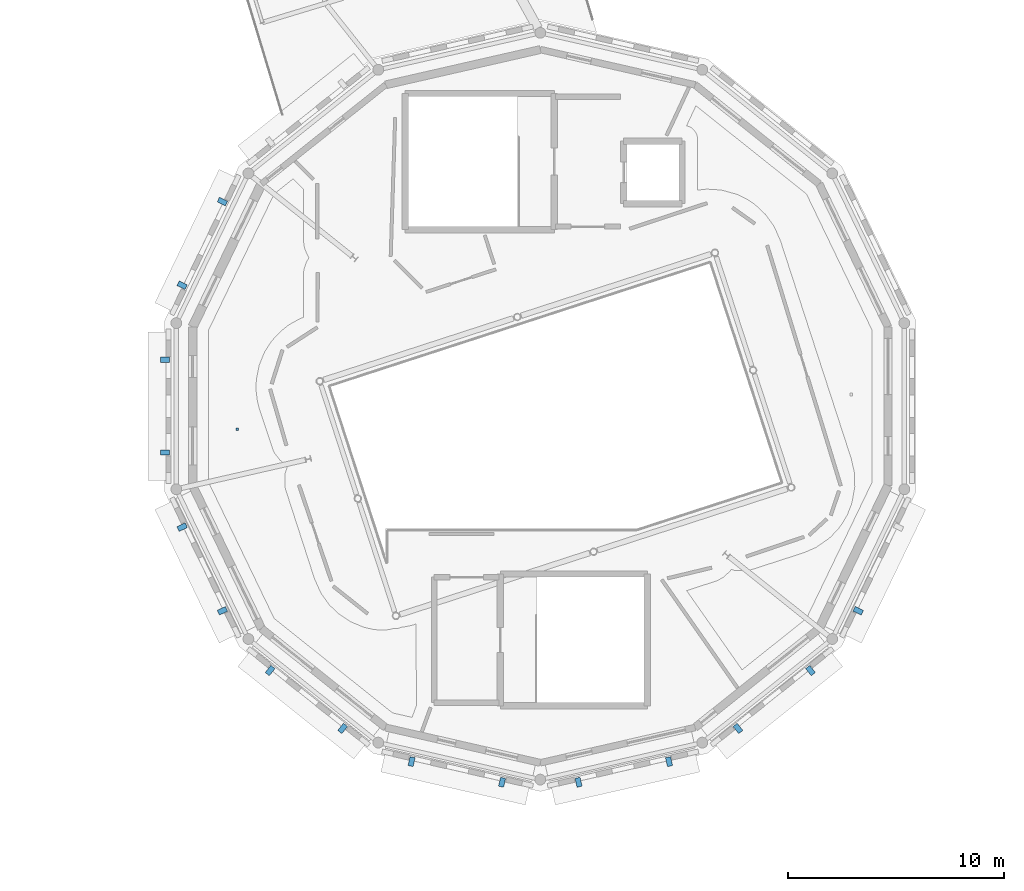
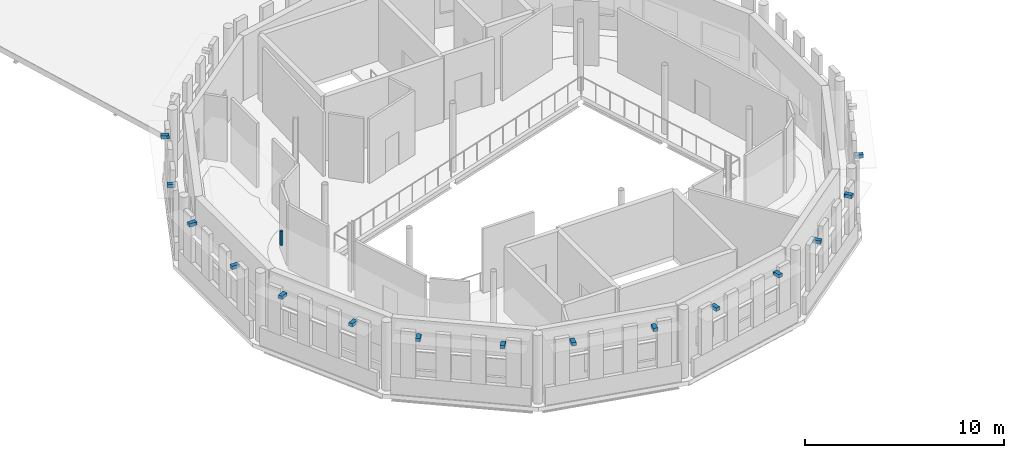
# One storey, part 55 of 68: 16 discrete accessories.
"""IFC4 building model written with IfcOpenShell, lengths in metres."""

from ifc_helpers import new_model, si_unit, direction, frame, origin, origin_2d, place, context, subcontext, project, spatial, rectangle, extrude, material, type_object, element, save


model = new_model("IFC4")

# Units and contexts
model_context = context("Model", 3, precision=1e-05, world=origin(), true_north=direction((0.0, 1.0)))
body_context = subcontext(model_context, "Body", "Model", "MODEL_VIEW")
ifc_project = project(units=[si_unit("LENGTHUNIT", "METRE"), si_unit("AREAUNIT", "SQUARE_METRE"), si_unit("VOLUMEUNIT", "CUBIC_METRE"), si_unit("PLANEANGLEUNIT", "RADIAN"), si_unit("MASSUNIT", "GRAM", prefix="KILO")], contexts=[model_context])

# Site, building, storey
site_placement = place(None, origin())
site = spatial("IfcSite", under=ifc_project, at=site_placement, CompositionType="ELEMENT")
building_placement = place(site_placement, origin())
building = spatial("IfcBuilding", under=site, at=building_placement, Name="Wrenclough Park School", CompositionType="ELEMENT")
storey_placement = place(building_placement, frame((0.0, 0.0, 12.60009765625)))
storey = spatial("IfcBuildingStorey", under=building, at=storey_placement, Name="L03", CompositionType="ELEMENT", Elevation=12.60009765625)

# Discrete accessories
ifc_material_1 = material(Name="Austenitic stainless steel Grade 1.4401", Category="steel")
discrete_accessory_type_1 = type_object("IfcDiscreteAccessoryType", Name="ENV-BRK-01", PredefinedType="BRACKET", material=ifc_material_1)
for number, where, z_axis, x_axis, name in (
    (1, (21.81298828125, 32.952392578125, 3.5400390625), (0.0, 0.0, 1.0), (-0.43387157134, -0.900974727494, 0.0), "Brise-soleil stainless outrigger bracket 0179"),
    (2, (19.952392578125, 29.0888671875, 3.5400390625), (0.0, 0.0, 1.0), (-0.43387157134, -0.900974727494, 0.0), "Brise-soleil stainless outrigger bracket 0180"),
    (3, (19.166259765625, 25.643798828125, 3.5400390625), (0.0, 0.0, 1.0), (0.0, -1.0, 0.0), "Brise-soleil stainless outrigger bracket 0181"),
    (4, (19.166259765625, 21.356201171875, 3.5400390625), (0.0, 0.0, 1.0), (0.0, -1.0, 0.0), "Brise-soleil stainless outrigger bracket 0182"),
    (5, (19.952392578125, 17.9111328125, 3.5400390625), (0.0, 0.0, 1.0), (0.433882929518, -0.900969257785, 0.0), "Brise-soleil stainless outrigger bracket 0183"),
    (6, (21.81298828125, 14.047607421875, 3.5400390625), (0.0, 0.0, 1.0), (0.433882929518, -0.900969257785, 0.0), "Brise-soleil stainless outrigger bracket 0184"),
    (7, (24.015869140625, 11.284912109375, 3.5400390625), (0.0, 0.0, 1.0), (0.781831588169, -0.623489669314, 0.0), "Brise-soleil stainless outrigger bracket 0185"),
    (8, (27.36865234375, 8.611083984375, 3.5400390625), (0.0, 0.0, 1.0), (0.781831588169, -0.623489669314, 0.0), "Brise-soleil stainless outrigger bracket 0186"),
    (9, (30.55224609375, 7.078125, 3.5400390625), (0.0, 0.0, 1.0), (0.97492627853, -0.222528091331, 0.0), "Brise-soleil stainless outrigger bracket 0187"),
    (10, (34.733154296875, 6.123779296875, 3.5400390625), (0.0, 0.0, 1.0), (0.97492627853, -0.222528091331, 0.0), "Brise-soleil stainless outrigger bracket 0188"),
    (11, (38.2666015625, 6.123779296875, 3.5400390625), (0.0, 0.0, 1.0), (0.974929149471, 0.222515512969, 0.0), "Brise-soleil stainless outrigger bracket 0189"),
    (12, (42.447021484375, 7.077880859375, 3.5400390625), (0.0, 0.0, 1.0), (0.974929149471, 0.222515512969, 0.0), "Brise-soleil stainless outrigger bracket 0190"),
    (13, (45.630859375, 8.61083984375, 3.5400390625), (0.0, 0.0, 1.0), (0.781830120845, 0.623491509276, 0.0), "Brise-soleil stainless outrigger bracket 0191"),
    (14, (48.98388671875, 11.284912109375, 3.5400390625), (0.0, 0.0, 1.0), (0.781830120845, 0.623491509276, 0.0), "Brise-soleil stainless outrigger bracket 0192"),
    (15, (51.18701171875, 14.0478515625, 3.5400390625), (0.0, 0.0, 1.0), (0.433872409166, 0.900974324032, 0.0), "Brise-soleil stainless outrigger bracket 0193"),
):
    element("IfcDiscreteAccessory", number, at=place(storey_placement, frame(where, z_axis=z_axis, x_axis=x_axis)), inside=storey, type_object=discrete_accessory_type_1, Name=name, PredefinedType="BRACKET", context=body_context, shape_type="SweptSolid", body=[
        extrude(rectangle(XDim=0.239990234375, YDim=0.419921875, at=origin_2d()), origin(), (0.0, 0.0, 1.0), 0.199951171875),
    ])
ifc_material_2 = material(Name="Galvanised steel acoustic ceiling suspension hanger", Category="steel")
discrete_accessory_type_2 = type_object("IfcDiscreteAccessoryType", Name="INT-BRK-HGR", PredefinedType="BRACKET", material=ifc_material_2)
discrete_accessory_placement = place(storey_placement, frame((22.500244140625, 22.435302734375, 3.08984375), z_axis=(0.0, 0.0, 1.0), x_axis=(1.0, 0.0, 0.0)))
element("IfcDiscreteAccessory", 16, at=discrete_accessory_placement, inside=storey, type_object=discrete_accessory_type_2, Name="Acoustic ceiling hanger bracket 0068", PredefinedType="BRACKET", context=body_context, shape_type="SweptSolid", body=[
    extrude(rectangle(XDim=0.1201171875, YDim=0.1201171875, at=origin_2d()), origin(), (0.0, 0.0, 1.0), 0.889892578125),
])

save(model, "model.ifc")
